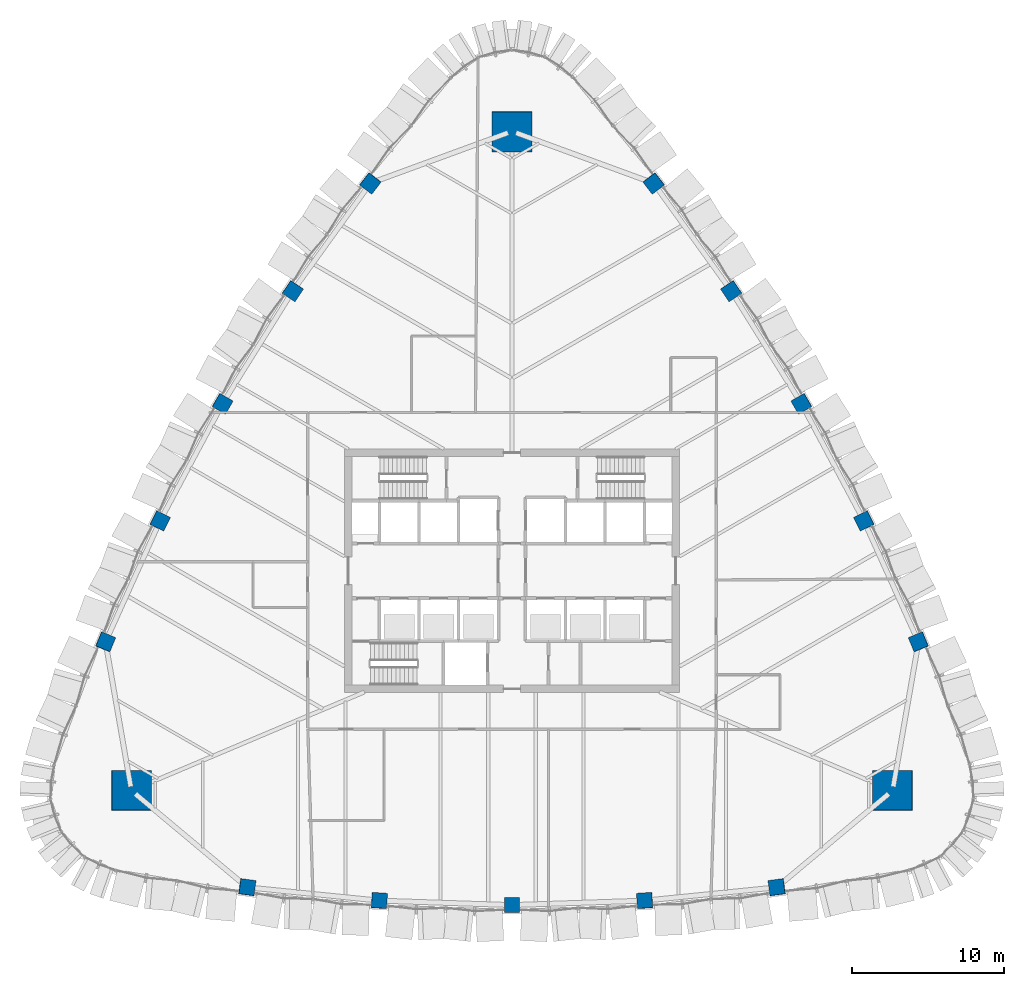
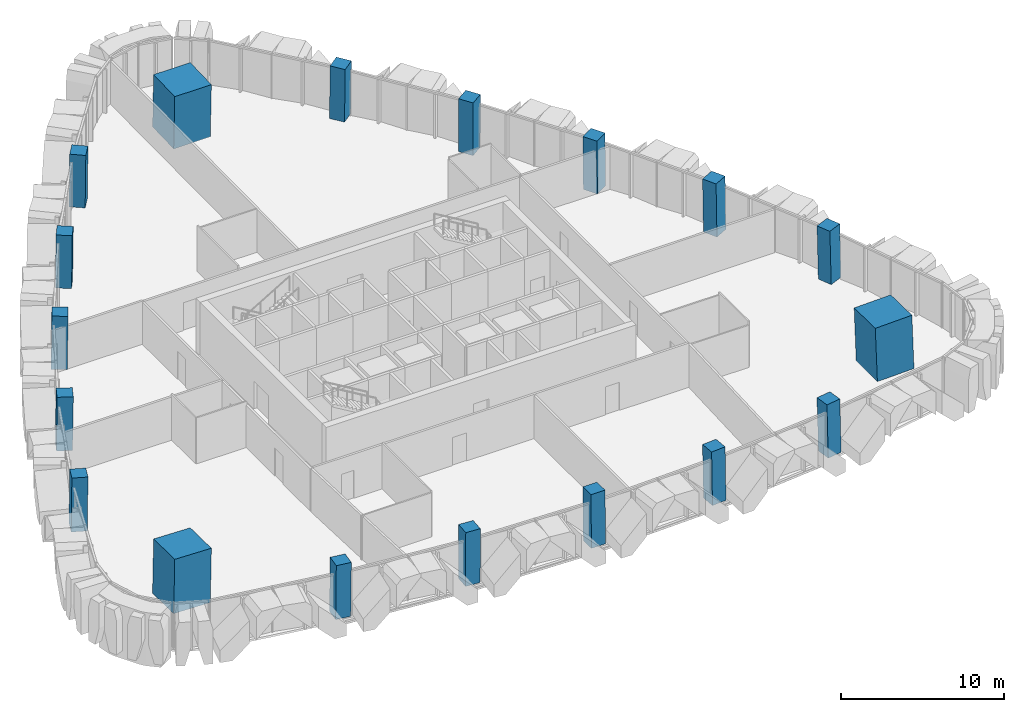
# One storey, part 1 of 18: 18 columns.
"""IFC4 building model written with IfcOpenShell, lengths in metres."""

import ifcopenshell
import ifcopenshell.guid

model = None  # the IFC model being written
_history = None  # IfcOwnerHistory: only IFC2X3 demands one
_inside = {}  # id of a spatial element -> (the spatial element, [elements in it])
_under = {}  # id of a project, library or spatial element -> (it, [spatial elements below it])
_declared = {}  # id of a project -> (the project, [libraries it declares])
_typed = {}  # id of a type object -> (the type object, [elements of that type])
_made_of = {}  # id of a material, layer set ... -> (it, [elements and type objects made of it])


def new_model(schema):
    """Start an empty IFC model of exactly this schema.

    Asked for "IFC4X3", IfcOpenShell would pick the latest addendum, in which some entities
    have other attributes; the version numbers below select the first issue.
    IFC2X3 requires an IfcOwnerHistory on every rooted entity: one is made here for all.
    """
    global model, _history
    if schema == "IFC4X3":
        model = ifcopenshell.file(schema_version=(4, 3, 0, 0))
    else:
        model = ifcopenshell.file(schema=schema)
    _inside.clear()
    _under.clear()
    _declared.clear()
    _typed.clear()
    _made_of.clear()
    _history = None
    if model.schema == "IFC2X3":
        org = make("IfcOrganization", Name="unknown")
        user = make(
            "IfcPersonAndOrganization",
            ThePerson=make("IfcPerson", FamilyName="unknown"),
            TheOrganization=org,
        )
        app = make(
            "IfcApplication",
            ApplicationDeveloper=org,
            Version="unknown",
            ApplicationFullName="unknown",
            ApplicationIdentifier="unknown",
        )
        _history = make(
            "IfcOwnerHistory",
            OwningUser=user,
            OwningApplication=app,
            ChangeAction="ADDED",
            CreationDate=0,
        )
    return model


def make(cls, **values):
    """One entity of the class cls with the attributes given. An attribute that is None is left unset."""
    return model.create_entity(
        cls, **{name: value for name, value in values.items() if value is not None}
    )


def rooted(cls, **values):
    """An entity with a GlobalId (a new one), such as an element, a storey or a relation."""
    return make(cls, GlobalId=ifcopenshell.guid.new(), OwnerHistory=_history, **values)


def si_unit(unit_type, name, prefix=None):
    """IfcSIUnit, for example si_unit("LENGTHUNIT", "METRE", prefix="MILLI")."""
    return make("IfcSIUnit", UnitType=unit_type, Prefix=prefix, Name=name)


def assignment(units):
    """IfcUnitAssignment: the units of a project."""
    return None if units is None else make("IfcUnitAssignment", Units=units)


def point(xyz):
    """IfcCartesianPoint."""
    return None if xyz is None else make("IfcCartesianPoint", Coordinates=xyz)


def direction(xyz):
    """IfcDirection."""
    return None if xyz is None else make("IfcDirection", DirectionRatios=xyz)


def frame(location, z_axis=None, x_axis=None):
    """IfcAxis2Placement3D, a coordinate frame: its origin and axes. An axis left out is left unset."""
    return make(
        "IfcAxis2Placement3D",
        Location=point(location),
        Axis=direction(z_axis),
        RefDirection=direction(x_axis),
    )


def frame_2d(location, x_axis=None):
    """IfcAxis2Placement2D, a coordinate frame in the plane: its origin and x axis."""
    return make(
        "IfcAxis2Placement2D", Location=point(location), RefDirection=direction(x_axis)
    )


def origin():
    """The frame at (0, 0, 0) with its axes left unset."""
    return frame((0.0, 0.0, 0.0))


def origin_2d():
    """The frame at (0, 0) in the plane with its x axis left unset."""
    return frame_2d((0.0, 0.0))


def place(relative_to, where):
    """IfcLocalPlacement: puts the frame where relative to a parent placement (None: the world)."""
    return make(
        "IfcLocalPlacement", PlacementRelTo=relative_to, RelativePlacement=where
    )


def context(
    kind, dimensions, precision=None, world=None, true_north=None, identifier=None
):
    """IfcGeometricRepresentationContext, for example the 3D "Model" context."""
    return make(
        "IfcGeometricRepresentationContext",
        ContextIdentifier=identifier,
        ContextType=kind,
        CoordinateSpaceDimension=dimensions,
        Precision=precision,
        WorldCoordinateSystem=world,
        TrueNorth=true_north,
    )


def subcontext(parent, identifier, kind, view, scale=None):
    """IfcGeometricRepresentationSubContext, for example "Body" below "Model"."""
    return make(
        "IfcGeometricRepresentationSubContext",
        ContextIdentifier=identifier,
        ContextType=kind,
        ParentContext=parent,
        TargetScale=scale,
        TargetView=view,
    )


def project(units=None, contexts=None):
    """IfcProject with its units and contexts."""
    return rooted(
        "IfcProject",
        Name="project",
        RepresentationContexts=contexts,
        UnitsInContext=assignment(units),
    )


def spatial(cls, under=None, at=None, **own):
    """A site, building, storey or space (cls), placed at a placement, below another one or the project."""
    s = rooted(cls, ObjectPlacement=at, **own)
    if under is not None:
        _under.setdefault(under.id(), (under, []))[1].append(s)
    return s


def profile(cls, at=None, kind="AREA", **sizes):
    """A parametric profile (cls). Its sizes go by their IFC names, for example OverallWidth=200.0."""
    return make(cls, ProfileType=kind, Position=at, **sizes)


def rectangle(**sizes):
    """IfcRectangleProfileDef."""
    return profile("IfcRectangleProfileDef", **sizes)


def extrude(swept, where, along, depth):
    """IfcExtrudedAreaSolid: the profile swept, set in the frame where, extruded along a direction by depth."""
    return make(
        "IfcExtrudedAreaSolid",
        SweptArea=swept,
        Position=where,
        ExtrudedDirection=direction(along),
        Depth=depth,
    )


def shape(context_of_items, identifier, shape_type, items):
    """IfcShapeRepresentation: the items that make up one representation, for example the "Body"."""
    return make(
        "IfcShapeRepresentation",
        ContextOfItems=context_of_items,
        RepresentationIdentifier=identifier,
        RepresentationType=shape_type,
        Items=items,
    )


def material(Name=None, Category=None):
    """IfcMaterial."""
    return make("IfcMaterial", Name=Name, Category=Category)


def material_profile(
    of_material, cross_section, Name=None, Category=None, Priority=None
):
    """IfcMaterialProfile: a cross section and its material."""
    return make(
        "IfcMaterialProfile",
        Name=Name,
        Material=of_material,
        Profile=cross_section,
        Priority=Priority,
        Category=Category,
    )


def profile_set(profiles, Name=None, composite=None):
    """IfcMaterialProfileSet."""
    return make(
        "IfcMaterialProfileSet",
        Name=Name,
        MaterialProfiles=profiles,
        CompositeProfile=composite,
    )


def made_of(thing, what):
    """Note that an element or type object is made of a material, layer set ...; save() writes the relation."""
    if what is not None:
        _made_of.setdefault(what.id(), (what, []))[1].append(thing)
    return thing


def type_object(cls, material=None, **own):
    """A type object (cls), such as IfcWallType, which elements share."""
    return made_of(rooted(cls, **own), material)


def element(
    cls,
    number,
    at=None,
    inside=None,
    cuts=None,
    type_object=None,
    material=None,
    context=None,
    identifier="Body",
    shape_type=None,
    held_by="IfcProductDefinitionShape",
    body=None,
    shapes=None,
    **own,
):
    """One element of the class cls, such as IfcWall. Its Tag is "e" and its number.

    at: its placement. inside: the storey or other place that contains it. cuts: it is an
    opening in that element (IfcRelVoidsElement). A single representation is given by context,
    identifier, shape_type and body (its items); several are given by shapes. held_by: the class
    of the entity that holds the representations. save() writes the other relations.
    """
    e = rooted(cls, Tag="e%d" % number, ObjectPlacement=at, **own)
    if body is not None:
        shapes = [shape(context, identifier, shape_type, body)]
    if shapes is not None:
        e.Representation = make(held_by, Representations=shapes)
    if inside is not None:
        _inside.setdefault(inside.id(), (inside, []))[1].append(e)
    if cuts is not None:
        rooted(
            "IfcRelVoidsElement", RelatingBuildingElement=cuts, RelatedOpeningElement=e
        )
    if type_object is not None:
        _typed.setdefault(type_object.id(), (type_object, []))[1].append(e)
    return made_of(e, material)


def aggregate(whole, parts):
    """IfcRelAggregates: a whole, such as a stair, and the parts it consists of."""
    return rooted("IfcRelAggregates", RelatingObject=whole, RelatedObjects=parts)


def save(model, path):
    """Write the relations noted so far, then the file.

    IfcRelAggregates (storeys below a building ...), IfcRelContainedInSpatialStructure (elements
    in a storey), IfcRelDefinesByType, IfcRelAssociatesMaterial and IfcRelDeclares: one each for
    every whole, place, type object, material and project.
    """
    for whole, parts in _under.values():
        aggregate(whole, parts)
    for where, things in _inside.values():
        rooted(
            "IfcRelContainedInSpatialStructure",
            RelatedElements=things,
            RelatingStructure=where,
        )
    for kind, things in _typed.values():
        rooted("IfcRelDefinesByType", RelatedObjects=things, RelatingType=kind)
    for what, things in _made_of.values():
        rooted("IfcRelAssociatesMaterial", RelatedObjects=things, RelatingMaterial=what)
    for by, libraries in _declared.values():
        rooted("IfcRelDeclares", RelatingContext=by, RelatedDefinitions=libraries)
    model.write(path)


model = new_model("IFC4")

# Units and contexts
model_context = context("Model", 3, precision=1e-05, world=origin(), true_north=direction((0.0, 1.0)))
body_context = subcontext(model_context, "Body", "Model", "MODEL_VIEW")
ifc_project = project(units=[si_unit("LENGTHUNIT", "METRE"), si_unit("AREAUNIT", "SQUARE_METRE"), si_unit("VOLUMEUNIT", "CUBIC_METRE"), si_unit("PLANEANGLEUNIT", "RADIAN"), si_unit("MASSUNIT", "GRAM", prefix="KILO")], contexts=[model_context])

# Site, building, storey
site_placement = place(None, origin())
site = spatial("IfcSite", under=ifc_project, at=site_placement, CompositionType="ELEMENT")
building_placement = place(site_placement, origin())
building = spatial("IfcBuilding", under=site, at=building_placement, Name="Sierra Prisma Convention Tower", CompositionType="ELEMENT")
storey_placement = place(building_placement, frame((0.0, 0.0, 129.800048828125)))
storey = spatial("IfcBuildingStorey", under=building, at=storey_placement, Name="L27", CompositionType="ELEMENT", Elevation=129.800048828125)

# Columns
ifc_material_1 = material(Name="Concrete C60/75", Category="concrete")
ifc_material_profile_1 = material_profile(ifc_material_1, rectangle(XDim=2.60009765625, YDim=2.60009765625, at=origin_2d()), Name="Mega column RC 2600 C60/75")
ifc_profile_set_1 = profile_set([ifc_material_profile_1], Name="Concrete C60/75")
column_type_1 = type_object("IfcColumnType", Name="Mega column RC 2600 C60/75", PredefinedType="COLUMN", material=ifc_profile_set_1)
for number, where, z_axis, x_axis, name in (
    (1, (24.983154296875, -14.424072265625, 0.0), (-0.028122372328, 0.016226791842, 0.999472772716), (0.999604487872, 0.00045651644, 0.02811866672), "Mega column SE L27"),
    (2, (0.0, 28.84814453125, 0.0), (0.0, -0.032453598962, 0.999473243221), (1.0, 0.0, 0.0), "Mega column N L27"),
    (3, (-24.983154296875, -14.424072265625, 0.0), (0.028122372328, 0.016226791842, 0.999472772716), (0.999604487872, -0.00045651644, -0.02811866672), "Mega column SW L27"),
):
    element("IfcColumn", number, at=place(storey_placement, frame(where, z_axis=z_axis, x_axis=x_axis)), inside=storey, type_object=column_type_1, Name=name, PredefinedType="COLUMN", context=body_context, shape_type="SweptSolid", body=[
        extrude(rectangle(XDim=2.60009765625, YDim=2.60009765625, at=origin_2d()), origin(), (0.0, 0.0, 1.0), 4.002197265625),
    ])
ifc_material_2 = material(Name="Concrete C60/75", Category="concrete")
ifc_material_profile_2 = material_profile(ifc_material_2, rectangle(XDim=1.0, YDim=1.0, at=origin_2d()), Name="Perimeter column RC 1000 C60/75")
ifc_profile_set_2 = profile_set([ifc_material_profile_2], Name="Concrete C60/75")
column_type_2 = type_object("IfcColumnType", Name="Perimeter column RC 1000 C60/75", PredefinedType="COLUMN", material=ifc_profile_set_2)
column_1_placement = place(storey_placement, frame((-17.385009765625, -20.77490234375, 0.0), z_axis=(0.017696459735, 0.010434809016, 0.999788952766), x_axis=(-0.990903847039, 0.133599816886, 0.016144808774)))
element("IfcColumn", 4, at=column_1_placement, inside=storey, type_object=column_type_2, Name="Perimeter column S-1 L27", PredefinedType="COLUMN", context=body_context, shape_type="SweptSolid", body=[
    extrude(rectangle(XDim=1.0, YDim=1.0, at=origin_2d()), origin(), (0.0, 0.0, 1.0), 4.000732421875),
])
column_2_placement = place(storey_placement, frame((-8.7119140625, -21.6484375, 0.0), z_axis=(0.008849199152, 0.01116829962, 0.999898475225), x_axis=(-0.997723247671, 0.066955214695, 0.008082096352)))
element("IfcColumn", 5, at=column_2_placement, inside=storey, type_object=column_type_2, Name="Perimeter column S-2 L27", PredefinedType="COLUMN", context=body_context, shape_type="SweptSolid", body=[
    extrude(rectangle(XDim=1.0, YDim=1.0, at=origin_2d()), origin(), (0.0, 0.0, 1.0), 4.00048828125),
])
column_3_placement = place(storey_placement, frame((0.0, -21.93994140625, 0.0), z_axis=(0.0, 0.01141283087, 0.999934871525), x_axis=(1.0, 0.0, 0.0)))
element("IfcColumn", 6, at=column_3_placement, inside=storey, type_object=column_type_2, Name="Perimeter column S-3 L27", PredefinedType="COLUMN", context=body_context, shape_type="SweptSolid", body=[
    extrude(rectangle(XDim=1.0, YDim=1.0, at=origin_2d()), origin(), (0.0, 0.0, 1.0), 4.000244140625),
])
column_4_placement = place(storey_placement, frame((8.7119140625, -21.6484375, 0.0), z_axis=(-0.008849199152, 0.01116829962, 0.999898475225), x_axis=(0.997723247671, 0.066955214695, 0.008082096352)))
element("IfcColumn", 7, at=column_4_placement, inside=storey, type_object=column_type_2, Name="Perimeter column S-4 L27", PredefinedType="COLUMN", context=body_context, shape_type="SweptSolid", body=[
    extrude(rectangle(XDim=1.0, YDim=1.0, at=origin_2d()), origin(), (0.0, 0.0, 1.0), 4.00048828125),
])
for number, where, z_axis, x_axis, name in (
    (8, (17.385009765625, -20.77490234375, 0.0), (-0.017696459735, 0.010434809016, 0.999788952766), (0.990903847039, 0.133599816886, 0.016144808774), "Perimeter column S-5 L27"),
    (9, (26.68408203125, -4.668212890625, 0.0), (-0.017879535448, 0.010068680372, 0.999789449778), (-0.379920166438, 0.92487901014, -0.016108498867), "Perimeter column NE-1 L27"),
):
    element("IfcColumn", number, at=place(storey_placement, frame(where, z_axis=z_axis, x_axis=x_axis)), inside=storey, type_object=column_type_2, Name=name, PredefinedType="COLUMN", context=body_context, shape_type="SweptSolid", body=[
        extrude(rectangle(XDim=1.0, YDim=1.0, at=origin_2d()), origin(), (0.0, 0.0, 1.0), 4.000732421875),
    ])
column_5_placement = place(storey_placement, frame((23.10400390625, 3.279296875, 0.0), z_axis=(-0.014097687793, 0.002136013302, 0.999898341156), x_axis=(-0.440934207428, 0.897502569263, -0.008134057119)))
element("IfcColumn", 10, at=column_5_placement, inside=storey, type_object=column_type_2, Name="Perimeter column NE-2 L27", PredefinedType="COLUMN", context=body_context, shape_type="SweptSolid", body=[
    extrude(rectangle(XDim=1.0, YDim=1.0, at=origin_2d()), origin(), (0.0, 0.0, 1.0), 4.00048828125),
])
column_6_placement = place(storey_placement, frame((19.00048828125, 10.969970703125, 0.0), z_axis=(-0.009887049298, -0.00573692984, 0.999934664812), x_axis=(-0.499975560967, 0.866039512843, 2.5126546e-05)))
element("IfcColumn", 11, at=column_6_placement, inside=storey, type_object=column_type_2, Name="Perimeter column NE-3 L27", PredefinedType="COLUMN", context=body_context, shape_type="SweptSolid", body=[
    extrude(rectangle(XDim=1.0, YDim=1.0, at=origin_2d()), origin(), (0.0, 0.0, 1.0), 4.000244140625),
])
column_7_placement = place(storey_placement, frame((14.39208984375, 18.368896484375, 0.0), z_axis=(-0.005248490815, -0.013243284963, 0.999898529226), x_axis=(-0.556776615508, 0.830622979496, 0.00807875962)))
element("IfcColumn", 12, at=column_7_placement, inside=storey, type_object=column_type_2, Name="Perimeter column NE-4 L27", PredefinedType="COLUMN", context=body_context, shape_type="SweptSolid", body=[
    extrude(rectangle(XDim=1.0, YDim=1.0, at=origin_2d()), origin(), (0.0, 0.0, 1.0), 4.00048828125),
])
for number, where, z_axis, x_axis, name in (
    (13, (9.29931640625, 25.443359375, 0.0), (-0.000244088989, -0.020564497316, 0.999788498569), (-0.611078116313, 0.791405956046, 0.016129119551), "Perimeter column NE-5 L27"),
    (14, (-9.29931640625, 25.443359375, 0.0), (0.000244088989, -0.020564497316, 0.999788498569), (0.611078116313, 0.791405956046, 0.016129119551), "Perimeter column NW-1 L27"),
):
    element("IfcColumn", number, at=place(storey_placement, frame(where, z_axis=z_axis, x_axis=x_axis)), inside=storey, type_object=column_type_2, Name=name, PredefinedType="COLUMN", context=body_context, shape_type="SweptSolid", body=[
        extrude(rectangle(XDim=1.0, YDim=1.0, at=origin_2d()), origin(), (0.0, 0.0, 1.0), 4.000732421875),
    ])
column_8_placement = place(storey_placement, frame((-14.39208984375, 18.368896484375, 0.0), z_axis=(0.005248490815, -0.013243284963, 0.999898529226), x_axis=(0.556776615508, 0.830622979496, 0.00807875962)))
element("IfcColumn", 15, at=column_8_placement, inside=storey, type_object=column_type_2, Name="Perimeter column NW-2 L27", PredefinedType="COLUMN", context=body_context, shape_type="SweptSolid", body=[
    extrude(rectangle(XDim=1.0, YDim=1.0, at=origin_2d()), origin(), (0.0, 0.0, 1.0), 4.00048828125),
])
column_9_placement = place(storey_placement, frame((-19.00048828125, 10.969970703125, 0.0), z_axis=(0.009887049298, -0.00573692984, 0.999934664812), x_axis=(0.499975560967, 0.866039512843, 2.5126546e-05)))
element("IfcColumn", 16, at=column_9_placement, inside=storey, type_object=column_type_2, Name="Perimeter column NW-3 L27", PredefinedType="COLUMN", context=body_context, shape_type="SweptSolid", body=[
    extrude(rectangle(XDim=1.0, YDim=1.0, at=origin_2d()), origin(), (0.0, 0.0, 1.0), 4.000244140625),
])
column_10_placement = place(storey_placement, frame((-23.10400390625, 3.279296875, 0.0), z_axis=(0.014097687793, 0.002136013302, 0.999898341156), x_axis=(0.440934207428, 0.897502569263, -0.008134057119)))
element("IfcColumn", 17, at=column_10_placement, inside=storey, type_object=column_type_2, Name="Perimeter column NW-4 L27", PredefinedType="COLUMN", context=body_context, shape_type="SweptSolid", body=[
    extrude(rectangle(XDim=1.0, YDim=1.0, at=origin_2d()), origin(), (0.0, 0.0, 1.0), 4.00048828125),
])
column_11_placement = place(storey_placement, frame((-26.68408203125, -4.668212890625, 0.0), z_axis=(0.017879535448, 0.010068680372, 0.999789449778), x_axis=(0.379920166438, 0.92487901014, -0.016108498867)))
element("IfcColumn", 18, at=column_11_placement, inside=storey, type_object=column_type_2, Name="Perimeter column NW-5 L27", PredefinedType="COLUMN", context=body_context, shape_type="SweptSolid", body=[
    extrude(rectangle(XDim=1.0, YDim=1.0, at=origin_2d()), origin(), (0.0, 0.0, 1.0), 4.000732421875),
])

save(model, "model.ifc")
